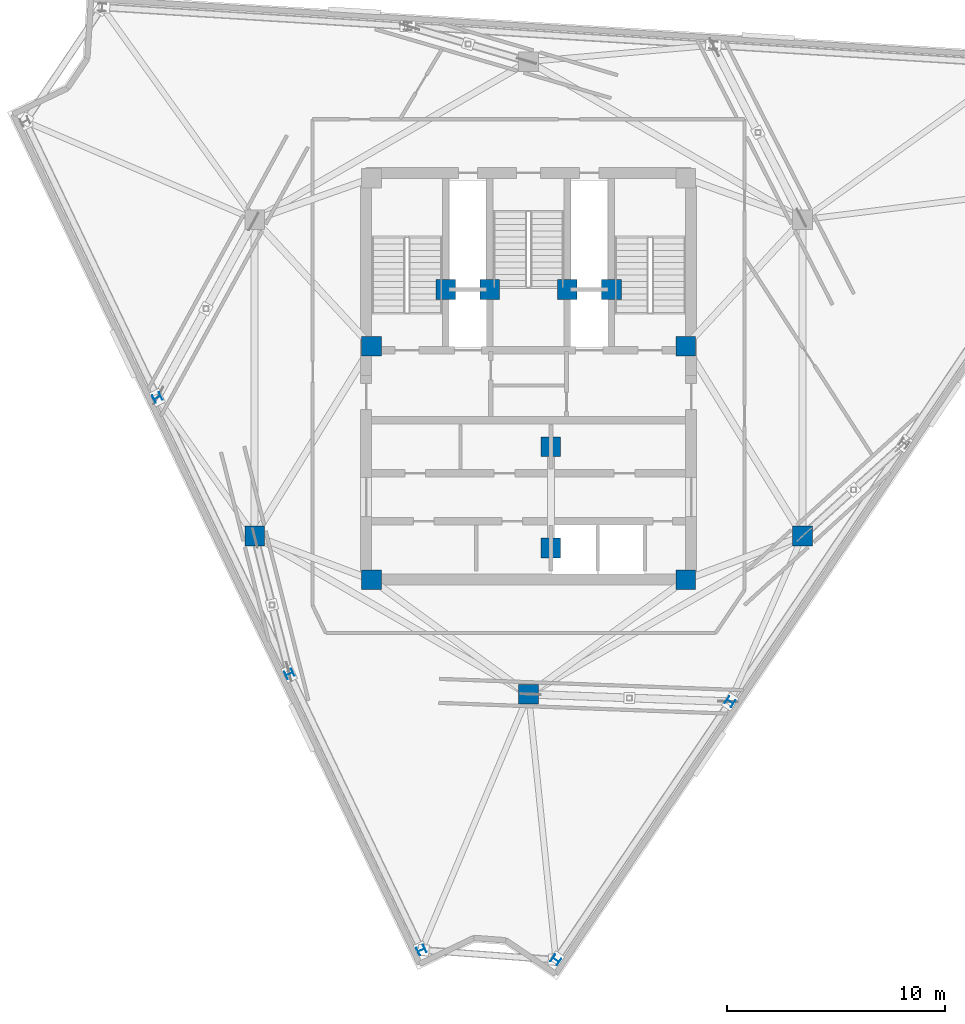
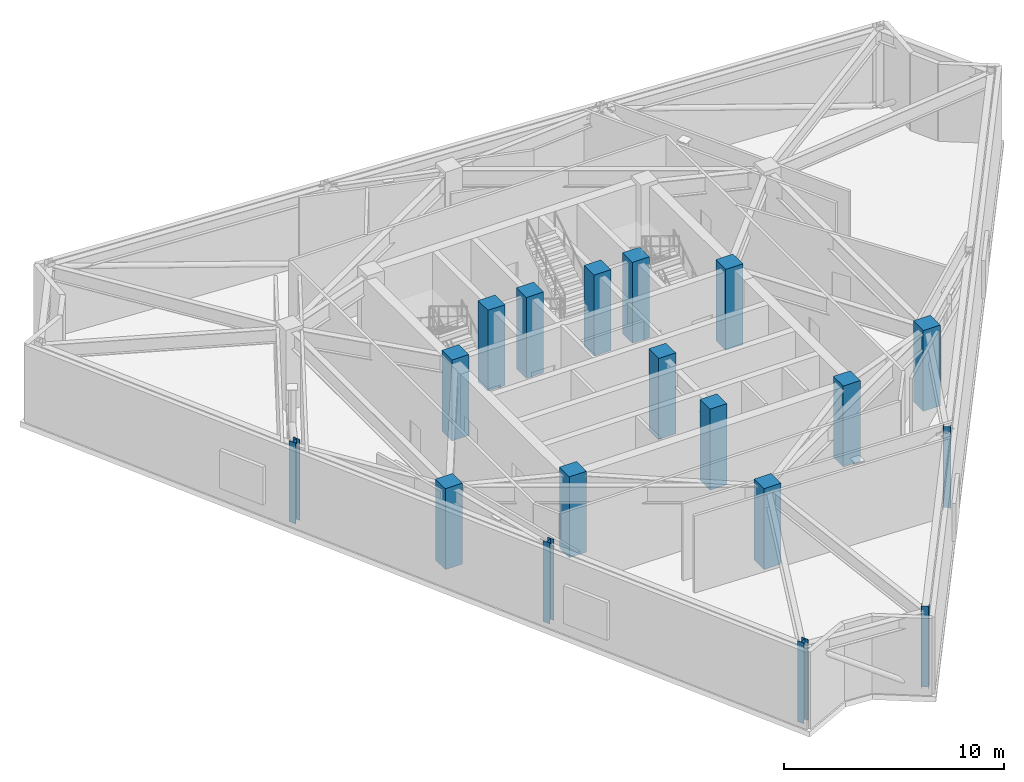
# One storey, part 1 of 11: 18 columns.
"""IFC4 building model written with IfcOpenShell, lengths in metres."""

from ifc_helpers import new_model, si_unit, direction, frame, origin, origin_2d, place, context, subcontext, project, spatial, rectangle, i_section, extrude, material, material_profile, profile_set, type_object, element, save


model = new_model("IFC4")

# Units and contexts
model_context = context("Model", 3, precision=1e-05, world=origin(), true_north=direction((0.0, 1.0)))
body_context = subcontext(model_context, "Body", "Model", "MODEL_VIEW")
ifc_project = project(units=[si_unit("LENGTHUNIT", "METRE"), si_unit("AREAUNIT", "SQUARE_METRE"), si_unit("VOLUMEUNIT", "CUBIC_METRE"), si_unit("PLANEANGLEUNIT", "RADIAN"), si_unit("MASSUNIT", "GRAM", prefix="KILO")], contexts=[model_context])

# Site, building, storey
site_placement = place(None, origin())
site = spatial("IfcSite", under=ifc_project, at=site_placement, CompositionType="ELEMENT")
building_placement = place(site_placement, origin())
building = spatial("IfcBuilding", under=site, at=building_placement, Name="Apsidion Concourse Tower", CompositionType="ELEMENT")
storey_placement = place(building_placement, frame((0.0, 0.0, 328.0)))
storey = spatial("IfcBuildingStorey", under=building, at=storey_placement, Name="L77", CompositionType="ELEMENT", Elevation=328.0)

# Columns
ifc_material_1 = material(Name="Concrete C50/60", Category="concrete")
ifc_material_profile_1 = material_profile(ifc_material_1, rectangle(XDim=0.89990234375, YDim=0.89990234375, at=origin_2d()), Name="RC 900x900")
ifc_profile_set_1 = profile_set([ifc_material_profile_1], Name="Concrete C50/60")
column_type_1 = type_object("IfcColumnType", Name="COL-RC-900", PredefinedType="COLUMN", material=ifc_profile_set_1)
for number, where, z_axis, x_axis, name in (
    (1, (-7.199951171875, -9.25, 0.0), (0.0, 0.0, 1.0), (1.0, 0.0, 0.0), "L77 Core Super-Column SC1"),
    (2, (7.199951171875, -9.25, 0.0), (0.0, 0.0, 1.0), (1.0, 0.0, 0.0), "L77 Core Super-Column SC2"),
    (3, (7.199951171875, 1.449951171875, 0.0), (0.0, 0.0, 1.0), (1.0, 0.0, 0.0), "L77 Core Super-Column SC3"),
    (4, (-7.199951171875, 1.449951171875, 0.0), (0.0, 0.0, 1.0), (1.0, 0.0, 0.0), "L77 Core Super-Column SC6"),
    (5, (-3.800048828125, 4.050048828125, 0.0), (0.0, 0.0, 1.0), (1.0, 0.0, 0.0), "L77 Core Super-Column CC1"),
    (6, (3.800048828125, 4.050048828125, 0.0), (0.0, 0.0, 1.0), (1.0, 0.0, 0.0), "L77 Core Super-Column CC2"),
    (7, (-1.77490234375, 4.050048828125, 0.0), (0.0, 0.0, 1.0), (1.0, 0.0, 0.0), "L77 Core Super-Column CC3"),
    (8, (1.77490234375, 4.050048828125, 0.0), (0.0, 0.0, 1.0), (1.0, 0.0, 0.0), "L77 Core Super-Column CC4"),
    (9, (1.02490234375, -3.14990234375, 0.0), (0.0, 0.0, 1.0), (1.0, 0.0, 0.0), "L77 Core Super-Column CC5"),
    (10, (1.02490234375, -7.800048828125, 0.0), (0.0, 0.0, 1.0), (1.0, 0.0, 0.0), "L77 Core Super-Column CC6"),
    (11, (-12.56005859375, -7.25, 0.0), (0.0, 0.0, 1.0), (1.0, 0.0, 0.0), "L77 Interior Spine Column IC1"),
    (12, (12.56005859375, -7.25, 0.0), (0.0, 0.0, 1.0), (1.0, 0.0, 0.0), "L77 Interior Spine Column IC2"),
    (13, (0.0, -14.5, 0.0), (0.0, 0.0, 1.0), (1.0, 0.0, 0.0), "L77 Interior Spine Column IC6"),
):
    element("IfcColumn", number, at=place(storey_placement, frame(where, z_axis=z_axis, x_axis=x_axis)), inside=storey, type_object=column_type_1, Name=name, PredefinedType="COLUMN", context=body_context, shape_type="SweptSolid", body=[
        extrude(rectangle(XDim=0.89990234375, YDim=0.89990234375, at=origin_2d()), origin(), (0.0, 0.0, 1.0), 4.5),
    ])
ifc_material_2 = material(Name="Structural steel ASTM A992 Grade 50", Category="steel")
ifc_material_profile_2 = material_profile(ifc_material_2, i_section(OverallWidth=0.367919921875, OverallDepth=0.35595703125, WebThickness=0.01123046875, FlangeThickness=0.01806640625, at=origin_2d()), Name="W14X90")
ifc_profile_set_2 = profile_set([ifc_material_profile_2], Name="Structural steel ASTM A992 Grade 50")
column_type_2 = type_object("IfcColumnType", Name="COL-W14-90", PredefinedType="COLUMN", material=ifc_profile_set_2)
for number, where, z_axis, x_axis, name in (
    (14, (-17.019287109375, -0.9033203125, 0.0), (0.0, 0.0, 1.0), (-0.431298587031, 0.902209248913, 0.0), "L77 Rotated Perimeter Column PC02"),
    (15, (-10.965576171875, -13.56494140625, 0.0), (0.0, 0.0, 1.0), (-0.431298587031, 0.902209248913, 0.0), "L77 Rotated Perimeter Column PC03"),
    (16, (-4.91162109375, -26.226806640625, 0.0), (0.0, 0.0, 1.0), (-0.431298587031, 0.902209248913, 0.0), "L77 Rotated Perimeter Column PC04"),
    (17, (1.25390625, -26.681884765625, 0.0), (0.0, 0.0, 1.0), (0.559192903471, 0.829037572555, 0.0), "L77 Rotated Perimeter Column PC05"),
    (18, (9.239013671875, -14.84375, 0.0), (0.0, 0.0, 1.0), (0.559192903471, 0.829037572555, 0.0), "L77 Rotated Perimeter Column PC06"),
):
    element("IfcColumn", number, at=place(storey_placement, frame(where, z_axis=z_axis, x_axis=x_axis)), inside=storey, type_object=column_type_2, Name=name, PredefinedType="COLUMN", context=body_context, shape_type="SweptSolid", body=[
        extrude(i_section(OverallWidth=0.367919921875, OverallDepth=0.35595703125, WebThickness=0.01123046875, FlangeThickness=0.01806640625, at=origin_2d()), origin(), (0.0, 0.0, 1.0), 4.5),
    ])

save(model, "model.ifc")
